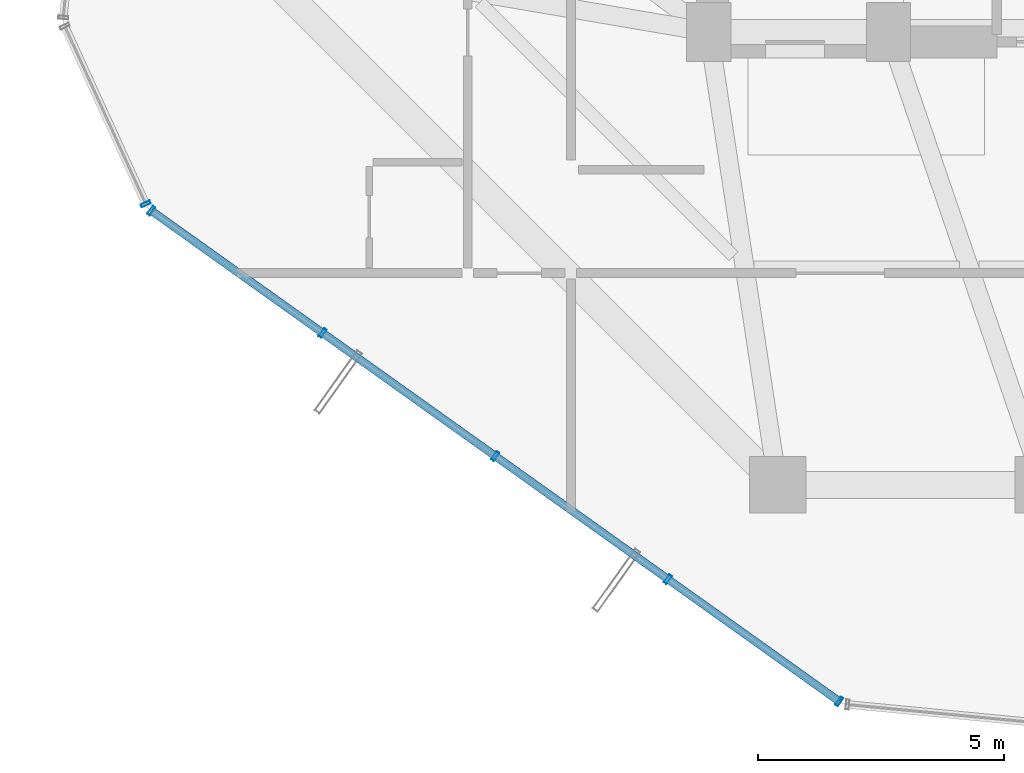
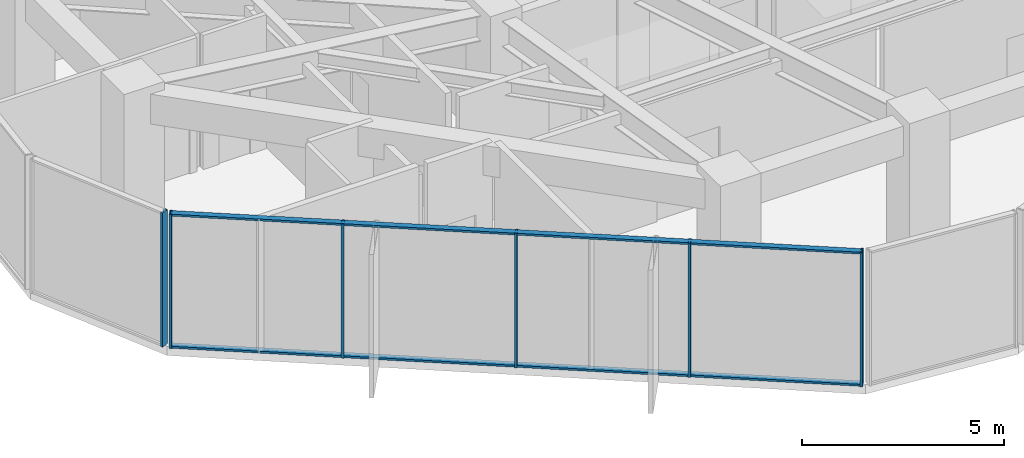
# One storey, part 2 of 25: 8 members, 2 elements without a shape of their own.
"""IFC4 building model written with IfcOpenShell, lengths in metres."""

import ifcopenshell
import ifcopenshell.guid

model = None  # the IFC model being written
_history = None  # IfcOwnerHistory: only IFC2X3 demands one
_inside = {}  # id of a spatial element -> (the spatial element, [elements in it])
_under = {}  # id of a project, library or spatial element -> (it, [spatial elements below it])
_declared = {}  # id of a project -> (the project, [libraries it declares])
_typed = {}  # id of a type object -> (the type object, [elements of that type])
_made_of = {}  # id of a material, layer set ... -> (it, [elements and type objects made of it])


def new_model(schema):
    """Start an empty IFC model of exactly this schema.

    Asked for "IFC4X3", IfcOpenShell would pick the latest addendum, in which some entities
    have other attributes; the version numbers below select the first issue.
    IFC2X3 requires an IfcOwnerHistory on every rooted entity: one is made here for all.
    """
    global model, _history
    if schema == "IFC4X3":
        model = ifcopenshell.file(schema_version=(4, 3, 0, 0))
    else:
        model = ifcopenshell.file(schema=schema)
    _inside.clear()
    _under.clear()
    _declared.clear()
    _typed.clear()
    _made_of.clear()
    _history = None
    if model.schema == "IFC2X3":
        org = make("IfcOrganization", Name="unknown")
        user = make(
            "IfcPersonAndOrganization",
            ThePerson=make("IfcPerson", FamilyName="unknown"),
            TheOrganization=org,
        )
        app = make(
            "IfcApplication",
            ApplicationDeveloper=org,
            Version="unknown",
            ApplicationFullName="unknown",
            ApplicationIdentifier="unknown",
        )
        _history = make(
            "IfcOwnerHistory",
            OwningUser=user,
            OwningApplication=app,
            ChangeAction="ADDED",
            CreationDate=0,
        )
    return model


def make(cls, **values):
    """One entity of the class cls with the attributes given. An attribute that is None is left unset."""
    return model.create_entity(
        cls, **{name: value for name, value in values.items() if value is not None}
    )


def rooted(cls, **values):
    """An entity with a GlobalId (a new one), such as an element, a storey or a relation."""
    return make(cls, GlobalId=ifcopenshell.guid.new(), OwnerHistory=_history, **values)


def si_unit(unit_type, name, prefix=None):
    """IfcSIUnit, for example si_unit("LENGTHUNIT", "METRE", prefix="MILLI")."""
    return make("IfcSIUnit", UnitType=unit_type, Prefix=prefix, Name=name)


def assignment(units):
    """IfcUnitAssignment: the units of a project."""
    return None if units is None else make("IfcUnitAssignment", Units=units)


def point(xyz):
    """IfcCartesianPoint."""
    return None if xyz is None else make("IfcCartesianPoint", Coordinates=xyz)


def direction(xyz):
    """IfcDirection."""
    return None if xyz is None else make("IfcDirection", DirectionRatios=xyz)


def frame(location, z_axis=None, x_axis=None):
    """IfcAxis2Placement3D, a coordinate frame: its origin and axes. An axis left out is left unset."""
    return make(
        "IfcAxis2Placement3D",
        Location=point(location),
        Axis=direction(z_axis),
        RefDirection=direction(x_axis),
    )


def frame_2d(location, x_axis=None):
    """IfcAxis2Placement2D, a coordinate frame in the plane: its origin and x axis."""
    return make(
        "IfcAxis2Placement2D", Location=point(location), RefDirection=direction(x_axis)
    )


def origin():
    """The frame at (0, 0, 0) with its axes left unset."""
    return frame((0.0, 0.0, 0.0))


def origin_2d():
    """The frame at (0, 0) in the plane with its x axis left unset."""
    return frame_2d((0.0, 0.0))


def place(relative_to, where):
    """IfcLocalPlacement: puts the frame where relative to a parent placement (None: the world)."""
    return make(
        "IfcLocalPlacement", PlacementRelTo=relative_to, RelativePlacement=where
    )


def context(
    kind, dimensions, precision=None, world=None, true_north=None, identifier=None
):
    """IfcGeometricRepresentationContext, for example the 3D "Model" context."""
    return make(
        "IfcGeometricRepresentationContext",
        ContextIdentifier=identifier,
        ContextType=kind,
        CoordinateSpaceDimension=dimensions,
        Precision=precision,
        WorldCoordinateSystem=world,
        TrueNorth=true_north,
    )


def subcontext(parent, identifier, kind, view, scale=None):
    """IfcGeometricRepresentationSubContext, for example "Body" below "Model"."""
    return make(
        "IfcGeometricRepresentationSubContext",
        ContextIdentifier=identifier,
        ContextType=kind,
        ParentContext=parent,
        TargetScale=scale,
        TargetView=view,
    )


def project(units=None, contexts=None):
    """IfcProject with its units and contexts."""
    return rooted(
        "IfcProject",
        Name="project",
        RepresentationContexts=contexts,
        UnitsInContext=assignment(units),
    )


def spatial(cls, under=None, at=None, **own):
    """A site, building, storey or space (cls), placed at a placement, below another one or the project."""
    s = rooted(cls, ObjectPlacement=at, **own)
    if under is not None:
        _under.setdefault(under.id(), (under, []))[1].append(s)
    return s


def profile(cls, at=None, kind="AREA", **sizes):
    """A parametric profile (cls). Its sizes go by their IFC names, for example OverallWidth=200.0."""
    return make(cls, ProfileType=kind, Position=at, **sizes)


def hollow_rectangle(**sizes):
    """IfcRectangleHollowProfileDef."""
    return profile("IfcRectangleHollowProfileDef", **sizes)


def extrude(swept, where, along, depth):
    """IfcExtrudedAreaSolid: the profile swept, set in the frame where, extruded along a direction by depth."""
    return make(
        "IfcExtrudedAreaSolid",
        SweptArea=swept,
        Position=where,
        ExtrudedDirection=direction(along),
        Depth=depth,
    )


def shape(context_of_items, identifier, shape_type, items):
    """IfcShapeRepresentation: the items that make up one representation, for example the "Body"."""
    return make(
        "IfcShapeRepresentation",
        ContextOfItems=context_of_items,
        RepresentationIdentifier=identifier,
        RepresentationType=shape_type,
        Items=items,
    )


def source(mapping_origin, context_of_items, identifier, shape_type, items):
    """IfcRepresentationMap: a shape defined once, which mapped items show again and again."""
    return make(
        "IfcRepresentationMap",
        MappingOrigin=mapping_origin,
        MappedRepresentation=shape(context_of_items, identifier, shape_type, items),
    )


def transform(
    local_origin,
    x_axis=None,
    y_axis=None,
    z_axis=None,
    scale=None,
    scale2=None,
    scale3=None,
    uniform=True,
):
    """IfcCartesianTransformationOperator3D, or its non-uniform kind. x_axis, y_axis, z_axis: its Axis1, 2, 3."""
    if uniform:
        return make(
            "IfcCartesianTransformationOperator3D",
            Axis1=direction(x_axis),
            Axis2=direction(y_axis),
            LocalOrigin=point(local_origin),
            Scale=scale,
            Axis3=direction(z_axis),
        )
    return make(
        "IfcCartesianTransformationOperator3DnonUniform",
        Axis1=direction(x_axis),
        Axis2=direction(y_axis),
        LocalOrigin=point(local_origin),
        Scale=scale,
        Axis3=direction(z_axis),
        Scale2=scale2,
        Scale3=scale3,
    )


def mapped(mapping_source, mapping_target):
    """IfcMappedItem: shows the shape of a source again, moved by a transform."""
    return make(
        "IfcMappedItem", MappingSource=mapping_source, MappingTarget=mapping_target
    )


def material(Name=None, Category=None):
    """IfcMaterial."""
    return make("IfcMaterial", Name=Name, Category=Category)


def layer(
    of_material, thickness, ventilated=None, Name=None, Category=None, Priority=None
):
    """IfcMaterialLayer: one layer of a wall or slab, of a material (None: an air gap)."""
    return make(
        "IfcMaterialLayer",
        Material=of_material,
        LayerThickness=thickness,
        IsVentilated=ventilated,
        Name=Name,
        Category=Category,
        Priority=Priority,
    )


def layer_set(layers, Name=None):
    """IfcMaterialLayerSet."""
    return make("IfcMaterialLayerSet", MaterialLayers=layers, LayerSetName=Name)


def material_profile(
    of_material, cross_section, Name=None, Category=None, Priority=None
):
    """IfcMaterialProfile: a cross section and its material."""
    return make(
        "IfcMaterialProfile",
        Name=Name,
        Material=of_material,
        Profile=cross_section,
        Priority=Priority,
        Category=Category,
    )


def profile_set(profiles, Name=None, composite=None):
    """IfcMaterialProfileSet."""
    return make(
        "IfcMaterialProfileSet",
        Name=Name,
        MaterialProfiles=profiles,
        CompositeProfile=composite,
    )


def made_of(thing, what):
    """Note that an element or type object is made of a material, layer set ...; save() writes the relation."""
    if what is not None:
        _made_of.setdefault(what.id(), (what, []))[1].append(thing)
    return thing


def type_object(cls, material=None, **own):
    """A type object (cls), such as IfcWallType, which elements share."""
    return made_of(rooted(cls, **own), material)


def element(
    cls,
    number,
    at=None,
    inside=None,
    cuts=None,
    type_object=None,
    material=None,
    context=None,
    identifier="Body",
    shape_type=None,
    held_by="IfcProductDefinitionShape",
    body=None,
    shapes=None,
    **own,
):
    """One element of the class cls, such as IfcWall. Its Tag is "e" and its number.

    at: its placement. inside: the storey or other place that contains it. cuts: it is an
    opening in that element (IfcRelVoidsElement). A single representation is given by context,
    identifier, shape_type and body (its items); several are given by shapes. held_by: the class
    of the entity that holds the representations. save() writes the other relations.
    """
    e = rooted(cls, Tag="e%d" % number, ObjectPlacement=at, **own)
    if body is not None:
        shapes = [shape(context, identifier, shape_type, body)]
    if shapes is not None:
        e.Representation = make(held_by, Representations=shapes)
    if inside is not None:
        _inside.setdefault(inside.id(), (inside, []))[1].append(e)
    if cuts is not None:
        rooted(
            "IfcRelVoidsElement", RelatingBuildingElement=cuts, RelatedOpeningElement=e
        )
    if type_object is not None:
        _typed.setdefault(type_object.id(), (type_object, []))[1].append(e)
    return made_of(e, material)


def aggregate(whole, parts):
    """IfcRelAggregates: a whole, such as a stair, and the parts it consists of."""
    return rooted("IfcRelAggregates", RelatingObject=whole, RelatedObjects=parts)


def save(model, path):
    """Write the relations noted so far, then the file.

    IfcRelAggregates (storeys below a building ...), IfcRelContainedInSpatialStructure (elements
    in a storey), IfcRelDefinesByType, IfcRelAssociatesMaterial and IfcRelDeclares: one each for
    every whole, place, type object, material and project.
    """
    for whole, parts in _under.values():
        aggregate(whole, parts)
    for where, things in _inside.values():
        rooted(
            "IfcRelContainedInSpatialStructure",
            RelatedElements=things,
            RelatingStructure=where,
        )
    for kind, things in _typed.values():
        rooted("IfcRelDefinesByType", RelatedObjects=things, RelatingType=kind)
    for what, things in _made_of.values():
        rooted("IfcRelAssociatesMaterial", RelatedObjects=things, RelatingMaterial=what)
    for by, libraries in _declared.values():
        rooted("IfcRelDeclares", RelatingContext=by, RelatedDefinitions=libraries)
    model.write(path)


model = new_model("IFC4")

# Units and contexts
model_context = context("Model", 3, precision=1e-05, world=origin(), true_north=direction((0.0, 1.0)))
body_context = subcontext(model_context, "Body", "Model", "MODEL_VIEW")
ifc_project = project(units=[si_unit("LENGTHUNIT", "METRE"), si_unit("AREAUNIT", "SQUARE_METRE"), si_unit("VOLUMEUNIT", "CUBIC_METRE"), si_unit("PLANEANGLEUNIT", "RADIAN"), si_unit("MASSUNIT", "GRAM", prefix="KILO")], contexts=[model_context])

# Site, building, storey
site_placement = place(None, origin())
site = spatial("IfcSite", under=ifc_project, at=site_placement, CompositionType="ELEMENT")
building_placement = place(site_placement, origin())
building = spatial("IfcBuilding", under=site, at=building_placement, Name="Veraguas Prism Commons", CompositionType="ELEMENT")
storey_placement = place(building_placement, frame((0.0, 0.0, 108.949951171875)))
storey = spatial("IfcBuildingStorey", under=building, at=storey_placement, Name="L30", CompositionType="ELEMENT", Elevation=108.949951171875)

# Curtain wall, members
ifc_material = material(Name="Anodised aluminium EN AW-6063 T6", Category="aluminium")
ifc_layer = layer(ifc_material, 0.199951171875, Name="Sky Lobby and Pool Acoustic Curtain Wall", Category="aluminium")
ifc_layer_set = layer_set([ifc_layer], Name="Anodised aluminium EN AW-6063 T6")
curtain_wall_type = type_object("IfcCurtainWallType", Name="Sky Lobby and Pool Acoustic Curtain Wall", PredefinedType="NOTDEFINED", material=ifc_layer_set)
curtain_wall_1_placement = place(storey_placement, origin())
curtain_wall_1 = element("IfcCurtainWall", 1, at=curtain_wall_1_placement, inside=storey, type_object=curtain_wall_type, Name="Tower Facade Curtain Wall L30-F4", PredefinedType="NOTDEFINED")
ifc_material_profile_1 = material_profile(ifc_material, hollow_rectangle(XDim=0.06494140625, YDim=0.199951171875, WallThickness=0.00390625, at=origin_2d()), Name="AL65X200X4")
ifc_profile_set_1 = profile_set([ifc_material_profile_1], Name="Anodised aluminium EN AW-6063 T6")
member_type_1 = type_object("IfcMemberType", Name="Curtain Wall Mullion Heavy AL 65x200x4", PredefinedType="MULLION", material=ifc_profile_set_1)
shared_shape_1 = source(origin(), body_context, "Body", "SweptSolid", [
    extrude(hollow_rectangle(XDim=0.06494140625, YDim=0.199951171875, WallThickness=0.00390625, at=origin_2d()), origin(), (0.0, 0.0, 1.0), 4.050048828125),
])
member_1_placement = place(storey_placement, frame((5.871826171875, 13.368408203125, 0.0), z_axis=(0.0, 0.0, 1.0), x_axis=(0.814114504837, -0.58070437661, 0.0)))
member_1 = element("IfcMember", 2, at=member_1_placement, type_object=member_type_1, Name="CW-SKY Mullion 1", PredefinedType="MULLION", context=body_context, shape_type="MappedRepresentation", body=[
    mapped(shared_shape_1, transform((0.0, 0.0, 0.0), scale=1.0)),
])
member_2_placement = place(storey_placement, frame((9.35302734375, 10.88525390625, 0.0), z_axis=(0.0, 0.0, 1.0), x_axis=(0.814114504837, -0.58070437661, 0.0)))
member_2 = element("IfcMember", 3, at=member_2_placement, type_object=member_type_1, Name="CW-SKY Mullion 2", PredefinedType="MULLION", context=body_context, shape_type="MappedRepresentation", body=[
    mapped(shared_shape_1, transform((0.0, 0.0, 0.0), scale=1.0)),
])
member_3_placement = place(storey_placement, frame((12.860595703125, 8.38330078125, 0.0), z_axis=(0.0, 0.0, 1.0), x_axis=(0.814114504837, -0.58070437661, 0.0)))
member_3 = element("IfcMember", 4, at=member_3_placement, type_object=member_type_1, Name="CW-SKY Mullion 3", PredefinedType="MULLION", context=body_context, shape_type="MappedRepresentation", body=[
    mapped(shared_shape_1, transform((0.0, 0.0, 0.0), scale=1.0)),
])
member_4_placement = place(storey_placement, frame((16.368408203125, 5.881103515625, 0.0), z_axis=(0.0, 0.0, 1.0), x_axis=(0.814114504837, -0.58070437661, 0.0)))
member_4 = element("IfcMember", 5, at=member_4_placement, type_object=member_type_1, Name="CW-SKY Mullion 4", PredefinedType="MULLION", context=body_context, shape_type="MappedRepresentation", body=[
    mapped(shared_shape_1, transform((0.0, 0.0, 0.0), scale=1.0)),
])
member_5_placement = place(storey_placement, frame((19.849609375, 3.398193359375, 0.0), z_axis=(0.0, 0.0, 1.0), x_axis=(0.814114504837, -0.58070437661, 0.0)))
member_5 = element("IfcMember", 6, at=member_5_placement, type_object=member_type_1, Name="CW-SKY Mullion 5", PredefinedType="MULLION", context=body_context, shape_type="MappedRepresentation", body=[
    mapped(shared_shape_1, transform((0.0, 0.0, 0.0), scale=1.0)),
])

# Curtain wall, member
curtain_wall_2_placement = place(storey_placement, origin())
curtain_wall_2 = element("IfcCurtainWall", 7, at=curtain_wall_2_placement, inside=storey, type_object=curtain_wall_type, Name="Chamfer Curtain Wall L30-C4", PredefinedType="NOTDEFINED")
member_6_placement = place(storey_placement, frame((5.758056640625, 13.50634765625, 0.0), z_axis=(0.0, 0.0, 1.0), x_axis=(0.41469006629, -0.909962718423, 0.0)))
member_6 = element("IfcMember", 8, at=member_6_placement, type_object=member_type_1, Name="CW-SKY Mullion 2", PredefinedType="MULLION", context=body_context, shape_type="MappedRepresentation", body=[
    mapped(shared_shape_1, transform((0.0, 0.0, 0.0), scale=1.0)),
])
aggregate(curtain_wall_2, [member_6])

# Member
ifc_material_profile_2 = material_profile(ifc_material, hollow_rectangle(XDim=0.06005859375, YDim=0.159912109375, WallThickness=0.0029296875, at=origin_2d()), Name="AL60X160X3")
ifc_profile_set_2 = profile_set([ifc_material_profile_2], Name="Anodised aluminium EN AW-6063 T6")
member_type_2 = type_object("IfcMemberType", Name="Curtain Wall Transom Heavy AL 60x160x3", PredefinedType="USERDEFINED", material=ifc_profile_set_2)
shared_shape_2 = source(origin(), body_context, "Body", "SweptSolid", [
    extrude(hollow_rectangle(XDim=0.06005859375, YDim=0.159912109375, WallThickness=0.0029296875, at=origin_2d()), origin(), (0.0, 0.0, 1.0), 17.169189453125),
])
member_7_placement = place(storey_placement, frame((5.871826171875, 13.368408203125, 0.030029296875), z_axis=(0.814116647838, -0.580701372232, 0.0), x_axis=(0.0, 0.0, 1.0)))
member_7 = element("IfcMember", 9, at=member_7_placement, type_object=member_type_2, Name="CW-SKY Transom 1", ObjectType="TRANSOM", PredefinedType="USERDEFINED", context=body_context, shape_type="MappedRepresentation", body=[
    mapped(shared_shape_2, transform((0.0, 0.0, 0.0), scale=1.0)),
])

member_8_placement = place(storey_placement, frame((5.871826171875, 13.368408203125, 4.02001953125), z_axis=(0.814116647838, -0.580701372232, 0.0), x_axis=(0.0, 0.0, 1.0)))
member_8 = element("IfcMember", 10, at=member_8_placement, type_object=member_type_2, Name="CW-SKY Transom 2", ObjectType="TRANSOM", PredefinedType="USERDEFINED", context=body_context, shape_type="MappedRepresentation", body=[
    mapped(shared_shape_2, transform((0.0, 0.0, 0.0), scale=1.0)),
])

aggregate(curtain_wall_1, [member_1, member_2, member_3, member_4, member_5, member_7, member_8])

save(model, "model.ifc")
